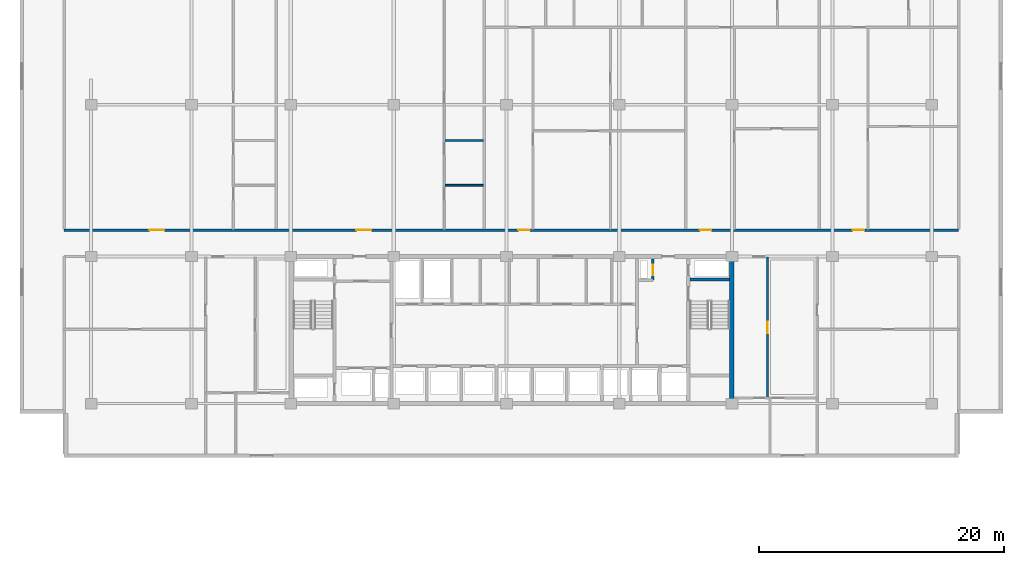
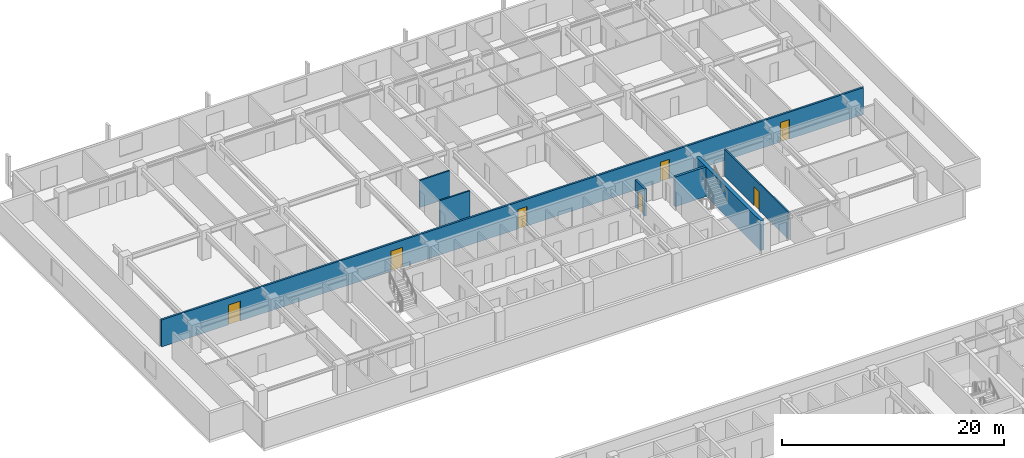
# One storey, part 13 of 22: 7 doors, 7 walls, 7 openings.
"""IFC4 building model written with IfcOpenShell, lengths in metres."""

from ifc_helpers import new_model, si_unit, direction, frame, frame_2d, origin, place, context, subcontext, project, spatial, rectangle, extrude, material, layer, layer_set, type_object, element, fill, save


model = new_model("IFC4")

# Units and contexts
model_context = context("Model", 3, precision=1e-05, world=origin(), true_north=direction((0.0, 1.0)))
body_context = subcontext(model_context, "Body", "Model", "MODEL_VIEW")
ifc_project = project(units=[si_unit("LENGTHUNIT", "METRE"), si_unit("AREAUNIT", "SQUARE_METRE"), si_unit("VOLUMEUNIT", "CUBIC_METRE"), si_unit("PLANEANGLEUNIT", "RADIAN"), si_unit("MASSUNIT", "GRAM", prefix="KILO")], contexts=[model_context])

# Site, building, storey
site_placement = place(None, origin())
site = spatial("IfcSite", under=ifc_project, at=site_placement, CompositionType="ELEMENT")
building_placement = place(site_placement, origin())
building = spatial("IfcBuilding", under=site, at=building_placement, Name="Korimba Cascade Residences", CompositionType="ELEMENT")
storey_placement = place(building_placement, frame((0.0, 0.0, 90.550048828125)))
storey = spatial("IfcBuildingStorey", under=building, at=storey_placement, Name="L25", CompositionType="ELEMENT", Elevation=90.550048828125)

# Wall
ifc_material_1 = material(Name="Concrete C65/80", Category="concrete")
ifc_layer_1 = layer(ifc_material_1, 0.35009765625)
ifc_layer_set_1 = layer_set([ifc_layer_1], Name="Concrete C65/80")
wall_type_1 = type_object("IfcWallType", Name="WAL-CORE-350", PredefinedType="SHEAR", material=ifc_layer_set_1)
wall_1_placement = place(storey_placement, frame((112.074951171875, 55.375, 0.0), z_axis=(0.0, 0.0, 1.0), x_axis=(0.0, 1.0, 0.0)))
element("IfcWall", 1, at=wall_1_placement, inside=storey, type_object=wall_type_1, Name="L25 Core Shear Wall CW-L25-T1-E", PredefinedType="SHEAR", context=body_context, shape_type="SweptSolid", body=[
    extrude(rectangle(XDim=11.64990234375, YDim=0.35009765625, at=frame_2d((5.824951171875, 0.0))), origin(), (0.0, 0.0, 1.0), 3.25),
])

# Wall, openings, doors
ifc_material_2 = material(Name="Precast concrete C40/50", Category="concrete")
ifc_layer_2 = layer(ifc_material_2, 0.199951171875)
ifc_layer_set_2 = layer_set([ifc_layer_2], Name="Precast concrete C40/50")
wall_type_2 = type_object("IfcWallType", Name="WAL-IT-200", PredefinedType="PARTITIONING", material=ifc_layer_set_2)
wall_2_placement = place(storey_placement, frame((57.60009765625, 69.35009765625, 0.0), z_axis=(0.0, 0.0, 1.0), x_axis=(1.0, 0.0, 0.0)))
wall_2 = element("IfcWall", 2, at=wall_2_placement, inside=storey, type_object=wall_type_2, Name="L25 Partition Wall WAL-L25-T1-CORN", PredefinedType="PARTITIONING", context=body_context, shape_type="SweptSolid", body=[
    extrude(rectangle(XDim=73.0, YDim=0.199951171875, at=frame_2d((36.5, 0.0))), origin(), (0.0, 0.0, 1.0), 2.969970703125),
])
opening_1_placement = place(wall_2_placement, frame((6.966064453125, 0.0, 0.0)))
opening_1 = element("IfcOpeningElement", 3, at=opening_1_placement, cuts=wall_2, Name="Opening D-AM1", PredefinedType="OPENING", context=body_context, shape_type="SweptSolid", body=[
    extrude(rectangle(XDim=1.219970703125, YDim=2.179931640625, at=frame_2d((0.60986328125, 1.08984375))), frame((0.0, 0.10986328125, 0.0), z_axis=(0.0, -1.0, 0.0), x_axis=(1.0, 0.0, 0.0)), (0.0, 0.0, 1.0), 0.219970703125),
])
opening_2_placement = place(wall_2_placement, frame((23.854736328125, 0.0, 0.0)))
opening_2 = element("IfcOpeningElement", 4, at=opening_2_placement, cuts=wall_2, Name="Opening D-AM1", PredefinedType="OPENING", context=body_context, shape_type="SweptSolid", body=[
    extrude(rectangle(XDim=1.219970703125, YDim=2.179931640625, at=frame_2d((0.60986328125, 1.08984375))), frame((0.0, 0.10986328125, 0.0), z_axis=(0.0, -1.0, 0.0), x_axis=(1.0, 0.0, 0.0)), (0.0, 0.0, 1.0), 0.219970703125),
])
opening_3_placement = place(wall_2_placement, frame((37.06298828125, 0.0, 0.0)))
opening_3 = element("IfcOpeningElement", 5, at=opening_3_placement, cuts=wall_2, Name="Opening D-UN1", PredefinedType="OPENING", context=body_context, shape_type="SweptSolid", body=[
    extrude(rectangle(XDim=0.949951171875, YDim=2.14990234375, at=frame_2d((0.47509765625, 1.074951171875))), frame((0.0, 0.10986328125, 0.0), z_axis=(0.0, -1.0, 0.0), x_axis=(1.0, 0.0, 0.0)), (0.0, 0.0, 1.0), 0.219970703125),
])
opening_4_placement = place(wall_2_placement, frame((51.873779296875, 0.0, 0.0)))
opening_4 = element("IfcOpeningElement", 6, at=opening_4_placement, cuts=wall_2, Name="Opening D-UN1", PredefinedType="OPENING", context=body_context, shape_type="SweptSolid", body=[
    extrude(rectangle(XDim=0.949951171875, YDim=2.14990234375, at=frame_2d((0.47509765625, 1.074951171875))), frame((0.0, 0.10986328125, 0.0), z_axis=(0.0, -1.0, 0.0), x_axis=(1.0, 0.0, 0.0)), (0.0, 0.0, 1.0), 0.219970703125),
])
opening_5_placement = place(wall_2_placement, frame((64.35546875, 0.0, 0.0)))
opening_5 = element("IfcOpeningElement", 7, at=opening_5_placement, cuts=wall_2, Name="Opening D-UN1", PredefinedType="OPENING", context=body_context, shape_type="SweptSolid", body=[
    extrude(rectangle(XDim=0.949951171875, YDim=2.14990234375, at=frame_2d((0.47509765625, 1.074951171875))), frame((0.0, 0.10986328125, 0.0), z_axis=(0.0, -1.0, 0.0), x_axis=(1.0, 0.0, 0.0)), (0.0, 0.0, 1.0), 0.219970703125),
])
ifc_material_3 = material(Name="Fire-Rated Glazed Timber Suite Door", Category="wood")
door_type_1 = type_object("IfcDoorType", Name="DR-FD60-1200", OperationType="NOTDEFINED", PredefinedType="DOOR", material=ifc_material_3)
door_1_placement = place(opening_1_placement, origin())
door_1 = element("IfcDoor", 8, at=door_1_placement, inside=storey, type_object=door_type_1, Name="L25-T1-U01 Business Collaboration Office Door", OperationType="SINGLE_SWING_RIGHT", OverallHeight=2.179931640625, OverallWidth=1.219970703125, PredefinedType="DOOR", context=body_context, shape_type="SweptSolid", body=[
    extrude(rectangle(XDim=1.219970703125, YDim=2.179931640625, at=frame_2d((0.60986328125, 1.08984375))), frame((0.0, 0.02490234375, 0.0), z_axis=(0.0, -1.0, 0.0), x_axis=(1.0, 0.0, 0.0)), (0.0, 0.0, 1.0), 0.050048828125),
])
fill(opening_1, door_1)
door_2_placement = place(opening_2_placement, origin())
door_2 = element("IfcDoor", 9, at=door_2_placement, inside=storey, type_object=door_type_1, Name="L25-T1-U02 Business Collaboration Office Door", OperationType="SINGLE_SWING_LEFT", OverallHeight=2.179931640625, OverallWidth=1.219970703125, PredefinedType="DOOR", context=body_context, shape_type="SweptSolid", body=[
    extrude(rectangle(XDim=1.219970703125, YDim=2.179931640625, at=frame_2d((0.60986328125, 1.08984375))), frame((0.0, 0.02490234375, 0.0), z_axis=(0.0, -1.0, 0.0), x_axis=(1.0, 0.0, 0.0)), (0.0, 0.0, 1.0), 0.050048828125),
])
fill(opening_2, door_2)
ifc_material_4 = material(Name="Fire-Rated Hardwood Apartment Entrance Door", Category="wood")
door_type_2 = type_object("IfcDoorType", Name="DR-FD60-950", OperationType="NOTDEFINED", PredefinedType="DOOR", material=ifc_material_4)
door_3_placement = place(opening_3_placement, origin())
door_3 = element("IfcDoor", 10, at=door_3_placement, inside=storey, type_object=door_type_2, Name="Unit L25-T1-U03 Entrance Door", OperationType="SINGLE_SWING_RIGHT", OverallHeight=2.14990234375, OverallWidth=0.949951171875, PredefinedType="DOOR", context=body_context, shape_type="SweptSolid", body=[
    extrude(rectangle(XDim=0.949951171875, YDim=2.14990234375, at=frame_2d((0.47509765625, 1.074951171875))), frame((0.0, 0.02490234375, 0.0), z_axis=(0.0, -1.0, 0.0), x_axis=(1.0, 0.0, 0.0)), (0.0, 0.0, 1.0), 0.050048828125),
])
fill(opening_3, door_3)
door_4_placement = place(opening_4_placement, origin())
door_4 = element("IfcDoor", 11, at=door_4_placement, inside=storey, type_object=door_type_2, Name="Unit L25-T1-U04 Entrance Door", OperationType="SINGLE_SWING_LEFT", OverallHeight=2.14990234375, OverallWidth=0.949951171875, PredefinedType="DOOR", context=body_context, shape_type="SweptSolid", body=[
    extrude(rectangle(XDim=0.949951171875, YDim=2.14990234375, at=frame_2d((0.47509765625, 1.074951171875))), frame((0.0, 0.02490234375, 0.0), z_axis=(0.0, -1.0, 0.0), x_axis=(1.0, 0.0, 0.0)), (0.0, 0.0, 1.0), 0.050048828125),
])
fill(opening_4, door_4)
door_5_placement = place(opening_5_placement, origin())
door_5 = element("IfcDoor", 12, at=door_5_placement, inside=storey, type_object=door_type_2, Name="Unit L25-T1-U05 Entrance Door", OperationType="SINGLE_SWING_RIGHT", OverallHeight=2.14990234375, OverallWidth=0.949951171875, PredefinedType="DOOR", context=body_context, shape_type="SweptSolid", body=[
    extrude(rectangle(XDim=0.949951171875, YDim=2.14990234375, at=frame_2d((0.47509765625, 1.074951171875))), frame((0.0, 0.02490234375, 0.0), z_axis=(0.0, -1.0, 0.0), x_axis=(1.0, 0.0, 0.0)), (0.0, 0.0, 1.0), 0.050048828125),
])
fill(opening_5, door_5)

# Wall, opening, door
ifc_material_5 = material(Name="Insulated Acoustic Stud Partition", Category="gypsum")
ifc_layer_3 = layer(ifc_material_5, 0.14990234375)
ifc_layer_set_3 = layer_set([ifc_layer_3], Name="Insulated Acoustic Stud Partition")
wall_type_3 = type_object("IfcWallType", Name="WAL-PART-150", PredefinedType="PARTITIONING", material=ifc_layer_set_3)
wall_3_placement = place(storey_placement, frame((115.0, 55.64990234375, 0.0), z_axis=(0.0, 0.0, 1.0), x_axis=(0.0, 1.0, 0.0)))
wall_3 = element("IfcWall", 13, at=wall_3_placement, inside=storey, type_object=wall_type_3, Name="L25 Partition Wall WAL-L25-T1-FE-VN", PredefinedType="PARTITIONING", context=body_context, shape_type="SweptSolid", body=[
    extrude(rectangle(XDim=11.5, YDim=0.14990234375, at=frame_2d((5.75, 0.0))), origin(), (0.0, 0.0, 1.0), 2.969970703125),
])
opening_6_placement = place(wall_3_placement, frame((5.2900390625, 0.0, 0.0)))
opening_6 = element("IfcOpeningElement", 14, at=opening_6_placement, cuts=wall_3, Name="Opening D-IN1", PredefinedType="OPENING", context=body_context, shape_type="SweptSolid", body=[
    extrude(rectangle(XDim=0.919921875, YDim=2.080078125, at=frame_2d((0.4599609375, 1.0400390625))), frame((0.0, 0.0849609375, 0.0), z_axis=(0.0, -1.0, 0.0), x_axis=(1.0, 0.0, 0.0)), (0.0, 0.0, 1.0), 0.169921875),
])
ifc_material_6 = material(Name="Acoustic Timber Living Door", Category="wood")
door_type_3 = type_object("IfcDoorType", Name="DR-INT-920", OperationType="NOTDEFINED", PredefinedType="DOOR", material=ifc_material_6)
door_6_placement = place(opening_6_placement, origin())
door_6 = element("IfcDoor", 15, at=door_6_placement, inside=storey, type_object=door_type_3, Name="L25-T1-FE Living Door", OperationType="SINGLE_SWING_LEFT", OverallHeight=2.080078125, OverallWidth=0.919921875, PredefinedType="DOOR", context=body_context, shape_type="SweptSolid", body=[
    extrude(rectangle(XDim=0.919921875, YDim=2.080078125, at=frame_2d((0.4599609375, 1.0400390625))), frame((0.0, 0.02490234375, 0.0), z_axis=(0.0, -1.0, 0.0), x_axis=(1.0, 0.0, 0.0)), (0.0, 0.0, 1.0), 0.050048828125),
])
fill(opening_6, door_6)

# Walls
for number, where, z_axis, x_axis, name in (
    (16, (88.682861328125, 73.02001953125, 0.0), (0.0, 0.0, 1.0), (1.0, 0.0, 0.0), "L25 Partition Wall WAL-L25-T1-U02-WCH"),
    (17, (88.682861328125, 76.669921875, 0.0), (0.0, 0.0, 1.0), (1.0, 0.0, 0.0), "L25 Partition Wall WAL-L25-T1-U02-WCH2"),
):
    element("IfcWall", number, at=place(storey_placement, frame(where, z_axis=z_axis, x_axis=x_axis)), inside=storey, type_object=wall_type_3, Name=name, PredefinedType="PARTITIONING", context=body_context, shape_type="SweptSolid", body=[
        extrude(rectangle(XDim=3.130126953125, YDim=0.14990234375, at=frame_2d((1.56494140625, 0.0))), origin(), (0.0, 0.0, 1.0), 2.969970703125),
    ])

# Wall, opening, door
ifc_material_7 = material(Name="Concrete C40/50", Category="concrete")
ifc_layer_4 = layer(ifc_material_7, 0.199951171875)
ifc_layer_set_4 = layer_set([ifc_layer_4], Name="Concrete C40/50")
wall_type_4 = type_object("IfcWallType", Name="WAL-PART-200", PredefinedType="PARTITIONING", material=ifc_layer_set_4)
wall_4_placement = place(storey_placement, frame((105.64990234375, 65.280029296875, 0.0), z_axis=(0.0, 0.0, 1.0), x_axis=(0.0, 1.0, 0.0)))
wall_4 = element("IfcWall", 18, at=wall_4_placement, inside=storey, type_object=wall_type_4, Name="L25 Partition Wall CW-L25-T1-HYDW2E", PredefinedType="PARTITIONING", context=body_context, shape_type="SweptSolid", body=[
    extrude(rectangle(XDim=1.719970703125, YDim=0.199951171875, at=frame_2d((0.85986328125, 0.0))), origin(), (0.0, 0.0, 1.0), 2.969970703125),
])
opening_7_placement = place(wall_4_placement, frame((0.39990234375, 0.0, 0.0)))
opening_7 = element("IfcOpeningElement", 19, at=opening_7_placement, cuts=wall_4, Name="Opening D-RS1", PredefinedType="OPENING", context=body_context, shape_type="SweptSolid", body=[
    extrude(rectangle(XDim=0.85009765625, YDim=2.050048828125, at=frame_2d((0.425048828125, 1.02490234375))), frame((0.0, 0.10986328125, 0.0), z_axis=(0.0, -1.0, 0.0), x_axis=(1.0, 0.0, 0.0)), (0.0, 0.0, 1.0), 0.219970703125),
])
ifc_material_8 = material(Name="Fire-Rated Steel Riser Access Door", Category="steel")
door_type_4 = type_object("IfcDoorType", Name="DR-FD60-850", OperationType="NOTDEFINED", PredefinedType="DOOR", material=ifc_material_8)
door_7_placement = place(opening_7_placement, origin())
door_7 = element("IfcDoor", 20, at=door_7_placement, inside=storey, type_object=door_type_4, Name="L25 East Hydrant Door", OperationType="SINGLE_SWING_LEFT", OverallHeight=2.050048828125, OverallWidth=0.85009765625, PredefinedType="DOOR", context=body_context, shape_type="SweptSolid", body=[
    extrude(rectangle(XDim=0.85009765625, YDim=2.050048828125, at=frame_2d((0.425048828125, 1.02490234375))), frame((0.0, 0.02490234375, 0.0), z_axis=(0.0, -1.0, 0.0), x_axis=(1.0, 0.0, 0.0)), (0.0, 0.0, 1.0), 0.050048828125),
])
fill(opening_7, door_7)

# Wall
ifc_material_9 = material(Name="Concrete C50/60", Category="concrete")
ifc_layer_5 = layer(ifc_material_9, 0.25)
ifc_layer_set_5 = layer_set([ifc_layer_5], Name="Concrete C50/60")
wall_type_5 = type_object("IfcWallType", Name="WAL-SHAFT-250", PredefinedType="SHEAR", material=ifc_layer_set_5)
wall_5_placement = place(storey_placement, frame((108.659912109375, 65.324951171875, 0.0), z_axis=(0.0, 0.0, 1.0), x_axis=(1.0, 0.0, 0.0)))
element("IfcWall", 21, at=wall_5_placement, inside=storey, type_object=wall_type_5, Name="L25 Core Shear Wall CW-L25-T1-STW2N", PredefinedType="SHEAR", context=body_context, shape_type="SweptSolid", body=[
    extrude(rectangle(XDim=3.239990234375, YDim=0.25, at=frame_2d((1.6201171875, 0.0))), origin(), (0.0, 0.0, 1.0), 3.25),
])

save(model, "model.ifc")
